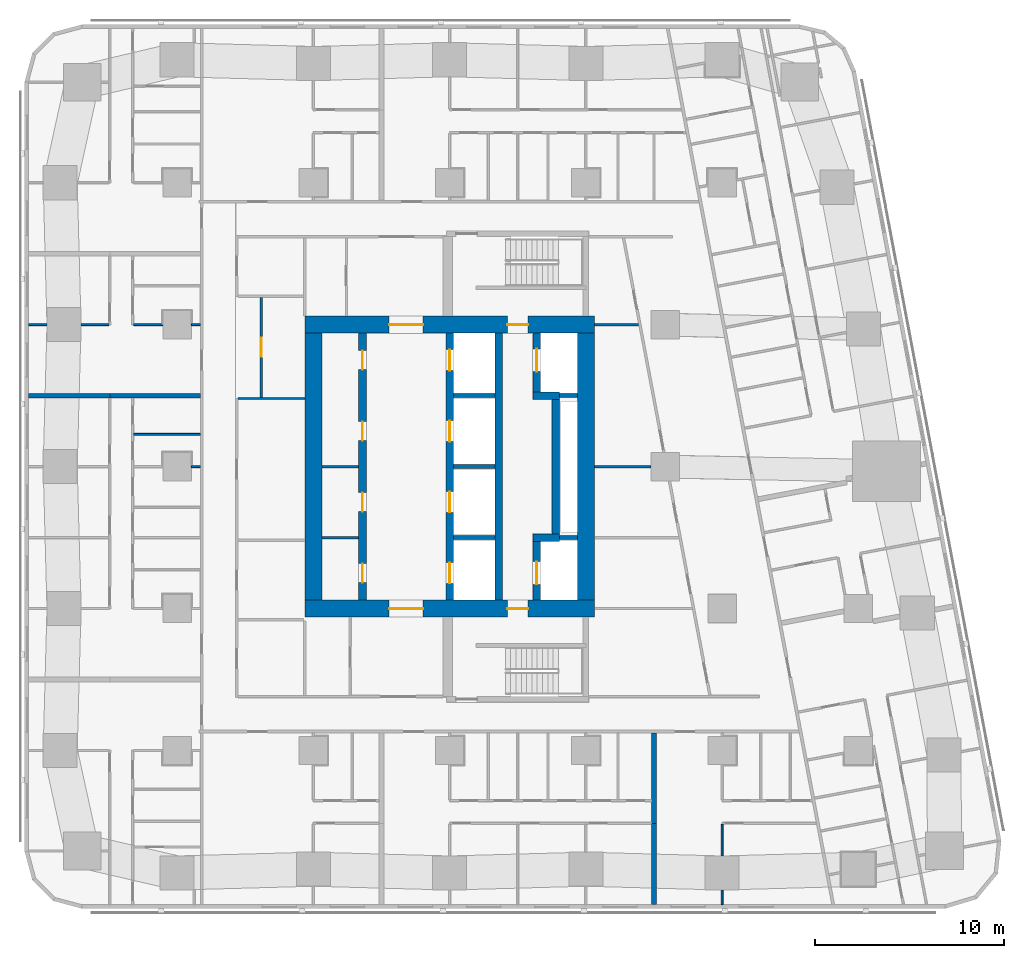
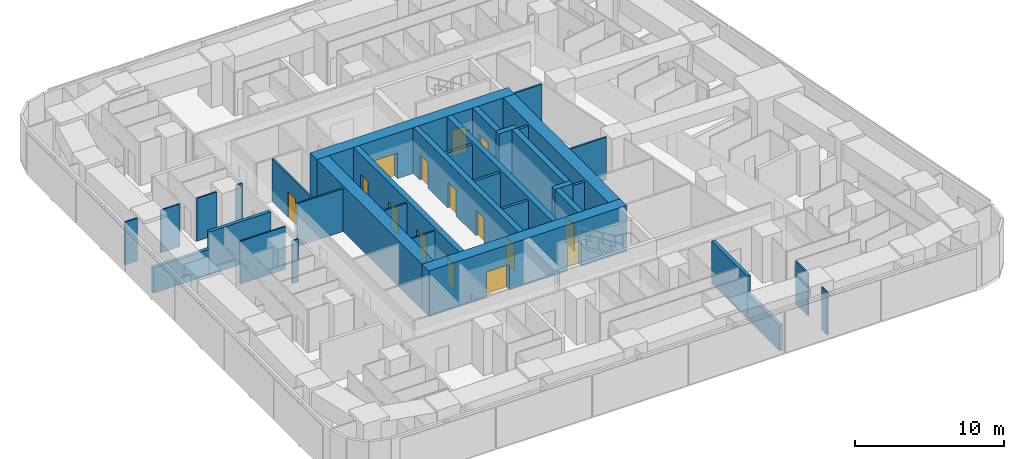
# One storey, part 6 of 15: 35 walls, 15 doors, 15 openings.
"""IFC4 building model written with IfcOpenShell, lengths in metres."""

from ifc_helpers import new_model, si_unit, direction, frame, frame_2d, origin, place, context, subcontext, project, spatial, rectangle, extrude, material, layer, layer_set, type_object, element, fill, save


model = new_model("IFC4")

# Units and contexts
model_context = context("Model", 3, precision=1e-05, world=origin(), true_north=direction((0.0, 1.0)))
body_context = subcontext(model_context, "Body", "Model", "MODEL_VIEW")
ifc_project = project(units=[si_unit("LENGTHUNIT", "METRE"), si_unit("AREAUNIT", "SQUARE_METRE"), si_unit("VOLUMEUNIT", "CUBIC_METRE"), si_unit("PLANEANGLEUNIT", "RADIAN"), si_unit("MASSUNIT", "GRAM", prefix="KILO")], contexts=[model_context])

# Site, building, storey
site_placement = place(None, origin())
site = spatial("IfcSite", under=ifc_project, at=site_placement, CompositionType="ELEMENT")
building_placement = place(site_placement, origin())
building = spatial("IfcBuilding", under=site, at=building_placement, Name="Sheger Commons Tower", CompositionType="ELEMENT")
storey_placement = place(building_placement, frame((0.0, 0.0, 143.300048828125)))
storey = spatial("IfcBuildingStorey", under=building, at=storey_placement, Name="L36", CompositionType="ELEMENT", Elevation=143.300048828125)

# Wall, openings, doors
ifc_material_1 = material(Name="Concrete C50/60", Category="concrete")
ifc_layer_1 = layer(ifc_material_1, 0.39990234375)
ifc_layer_set_1 = layer_set([ifc_layer_1], Name="CORE INNER WALL 400")
wall_type_1 = type_object("IfcWallType", Name="CORE INNER WALL 400", PredefinedType="SHEAR", material=ifc_layer_set_1)
wall_1_placement = place(storey_placement, frame((17.0, 15.449951171875, 0.0), z_axis=(0.0, 0.0, 1.0), x_axis=(0.0, 1.0, 0.0)))
wall_1 = element("IfcWall", 1, at=wall_1_placement, inside=storey, type_object=wall_type_1, Name="Core inner wall A L36", PredefinedType="SHEAR", context=body_context, shape_type="SweptSolid", body=[
    extrude(rectangle(XDim=14.10009765625, YDim=0.39990234375, at=frame_2d((7.050048828125, 0.0))), origin(), (0.0, 0.0, 1.0), 3.75),
])
opening_1_placement = place(wall_1_placement, frame((0.925048828125, 0.0, 0.0)))
opening_1 = element("IfcOpeningElement", 2, at=opening_1_placement, cuts=wall_1, Name="Opening D4", PredefinedType="OPENING", context=body_context, shape_type="SweptSolid", body=[
    extrude(rectangle(XDim=1.0, YDim=2.10009765625, at=frame_2d((0.5, 1.050048828125))), frame((0.0, 0.2099609375, 0.0), z_axis=(0.0, -1.0, 0.0), x_axis=(1.0, 0.0, 0.0)), (0.0, 0.0, 1.0), 0.419921875),
])
opening_2_placement = place(wall_1_placement, frame((4.675048828125, 0.0, 0.0)))
opening_2 = element("IfcOpeningElement", 3, at=opening_2_placement, cuts=wall_1, Name="Opening D4", PredefinedType="OPENING", context=body_context, shape_type="SweptSolid", body=[
    extrude(rectangle(XDim=1.0, YDim=2.10009765625, at=frame_2d((0.5, 1.050048828125))), frame((0.0, 0.2099609375, 0.0), z_axis=(0.0, -1.0, 0.0), x_axis=(1.0, 0.0, 0.0)), (0.0, 0.0, 1.0), 0.419921875),
])
opening_3_placement = place(wall_1_placement, frame((8.425048828125, 0.0, 0.0)))
opening_3 = element("IfcOpeningElement", 4, at=opening_3_placement, cuts=wall_1, Name="Opening D4", PredefinedType="OPENING", context=body_context, shape_type="SweptSolid", body=[
    extrude(rectangle(XDim=1.0, YDim=2.10009765625, at=frame_2d((0.5, 1.050048828125))), frame((0.0, 0.2099609375, 0.0), z_axis=(0.0, -1.0, 0.0), x_axis=(1.0, 0.0, 0.0)), (0.0, 0.0, 1.0), 0.419921875),
])
opening_4_placement = place(wall_1_placement, frame((12.175048828125, 0.0, 0.0)))
opening_4 = element("IfcOpeningElement", 5, at=opening_4_placement, cuts=wall_1, Name="Opening D4", PredefinedType="OPENING", context=body_context, shape_type="SweptSolid", body=[
    extrude(rectangle(XDim=1.0, YDim=2.10009765625, at=frame_2d((0.5, 1.050048828125))), frame((0.0, 0.2099609375, 0.0), z_axis=(0.0, -1.0, 0.0), x_axis=(1.0, 0.0, 0.0)), (0.0, 0.0, 1.0), 0.419921875),
])
ifc_material_2 = material(Name="Steel door set, fire rated", Category="steel")
door_type_1 = type_object("IfcDoorType", Name="SERVICE DOOR 1000x2100", OperationType="NOTDEFINED", PredefinedType="DOOR", material=ifc_material_2)
door_1_placement = place(opening_1_placement, origin())
door_1 = element("IfcDoor", 6, at=door_1_placement, inside=storey, type_object=door_type_1, Name="Staff WC door", OperationType="SINGLE_SWING_LEFT", OverallHeight=2.10009765625, OverallWidth=1.0, PredefinedType="DOOR", context=body_context, shape_type="SweptSolid", body=[
    extrude(rectangle(XDim=1.0, YDim=2.10009765625, at=frame_2d((0.5, 1.050048828125))), frame((0.0, 0.02490234375, 0.0), z_axis=(0.0, -1.0, 0.0), x_axis=(1.0, 0.0, 0.0)), (0.0, 0.0, 1.0), 0.050048828125),
])
fill(opening_1, door_1)
door_2_placement = place(opening_2_placement, origin())
door_2 = element("IfcDoor", 7, at=door_2_placement, inside=storey, type_object=door_type_1, Name="Cleaner's store door", OperationType="SINGLE_SWING_LEFT", OverallHeight=2.10009765625, OverallWidth=1.0, PredefinedType="DOOR", context=body_context, shape_type="SweptSolid", body=[
    extrude(rectangle(XDim=1.0, YDim=2.10009765625, at=frame_2d((0.5, 1.050048828125))), frame((0.0, 0.02490234375, 0.0), z_axis=(0.0, -1.0, 0.0), x_axis=(1.0, 0.0, 0.0)), (0.0, 0.0, 1.0), 0.050048828125),
])
fill(opening_2, door_2)
door_3_placement = place(opening_3_placement, origin())
door_3 = element("IfcDoor", 8, at=door_3_placement, inside=storey, type_object=door_type_1, Name="Linen and housekeeping store door", OperationType="SINGLE_SWING_LEFT", OverallHeight=2.10009765625, OverallWidth=1.0, PredefinedType="DOOR", context=body_context, shape_type="SweptSolid", body=[
    extrude(rectangle(XDim=1.0, YDim=2.10009765625, at=frame_2d((0.5, 1.050048828125))), frame((0.0, 0.02490234375, 0.0), z_axis=(0.0, -1.0, 0.0), x_axis=(1.0, 0.0, 0.0)), (0.0, 0.0, 1.0), 0.050048828125),
])
fill(opening_3, door_3)
door_4_placement = place(opening_4_placement, origin())
door_4 = element("IfcDoor", 9, at=door_4_placement, inside=storey, type_object=door_type_1, Name="Linen and housekeeping store door", OperationType="SINGLE_SWING_RIGHT", OverallHeight=2.10009765625, OverallWidth=1.0, PredefinedType="DOOR", context=body_context, shape_type="SweptSolid", body=[
    extrude(rectangle(XDim=1.0, YDim=2.10009765625, at=frame_2d((0.5, 1.050048828125))), frame((0.0, 0.02490234375, 0.0), z_axis=(0.0, -1.0, 0.0), x_axis=(1.0, 0.0, 0.0)), (0.0, 0.0, 1.0), 0.050048828125),
])
fill(opening_4, door_4)

wall_2_placement = place(storey_placement, frame((21.60009765625, 15.449951171875, 0.0), z_axis=(0.0, 0.0, 1.0), x_axis=(0.0, 1.0, 0.0)))
wall_2 = element("IfcWall", 10, at=wall_2_placement, inside=storey, type_object=wall_type_1, Name="Core inner wall L L36", PredefinedType="SHEAR", context=body_context, shape_type="SweptSolid", body=[
    extrude(rectangle(XDim=14.10009765625, YDim=0.39990234375, at=frame_2d((7.050048828125, 0.0))), origin(), (0.0, 0.0, 1.0), 3.75),
])
opening_5_placement = place(wall_2_placement, frame((0.875, 0.0, 0.0)))
opening_5 = element("IfcOpeningElement", 11, at=opening_5_placement, cuts=wall_2, Name="Opening LD", PredefinedType="OPENING", context=body_context, shape_type="SweptSolid", body=[
    extrude(rectangle(XDim=1.10009765625, YDim=2.10009765625, at=frame_2d((0.550048828125, 1.050048828125))), frame((0.0, 0.2099609375, 0.0), z_axis=(0.0, -1.0, 0.0), x_axis=(1.0, 0.0, 0.0)), (0.0, 0.0, 1.0), 0.419921875),
])
opening_6_placement = place(wall_2_placement, frame((4.625, 0.0, 0.0)))
opening_6 = element("IfcOpeningElement", 12, at=opening_6_placement, cuts=wall_2, Name="Opening LD", PredefinedType="OPENING", context=body_context, shape_type="SweptSolid", body=[
    extrude(rectangle(XDim=1.10009765625, YDim=2.10009765625, at=frame_2d((0.550048828125, 1.050048828125))), frame((0.0, 0.2099609375, 0.0), z_axis=(0.0, -1.0, 0.0), x_axis=(1.0, 0.0, 0.0)), (0.0, 0.0, 1.0), 0.419921875),
])
opening_7_placement = place(wall_2_placement, frame((8.375, 0.0, 0.0)))
opening_7 = element("IfcOpeningElement", 13, at=opening_7_placement, cuts=wall_2, Name="Opening LD", PredefinedType="OPENING", context=body_context, shape_type="SweptSolid", body=[
    extrude(rectangle(XDim=1.10009765625, YDim=2.10009765625, at=frame_2d((0.550048828125, 1.050048828125))), frame((0.0, 0.2099609375, 0.0), z_axis=(0.0, -1.0, 0.0), x_axis=(1.0, 0.0, 0.0)), (0.0, 0.0, 1.0), 0.419921875),
])
opening_8_placement = place(wall_2_placement, frame((12.125, 0.0, 0.0)))
opening_8 = element("IfcOpeningElement", 14, at=opening_8_placement, cuts=wall_2, Name="Opening LD", PredefinedType="OPENING", context=body_context, shape_type="SweptSolid", body=[
    extrude(rectangle(XDim=1.10009765625, YDim=2.10009765625, at=frame_2d((0.550048828125, 1.050048828125))), frame((0.0, 0.2099609375, 0.0), z_axis=(0.0, -1.0, 0.0), x_axis=(1.0, 0.0, 0.0)), (0.0, 0.0, 1.0), 0.419921875),
])
ifc_material_3 = material(Name="Steel door set, fire rated", Category="steel")
door_type_2 = type_object("IfcDoorType", Name="LIFT LANDING DOOR 1100x2100", OperationType="DOUBLE_DOOR_SLIDING", PredefinedType="DOOR", material=ifc_material_3)
door_5_placement = place(opening_5_placement, origin())
door_5 = element("IfcDoor", 15, at=door_5_placement, inside=storey, type_object=door_type_2, Name="Lift LB1 landing door", OperationType="DOUBLE_DOOR_SLIDING", OverallHeight=2.10009765625, OverallWidth=1.10009765625, PredefinedType="DOOR", context=body_context, shape_type="SweptSolid", body=[
    extrude(rectangle(XDim=1.10009765625, YDim=2.10009765625, at=frame_2d((0.550048828125, 1.050048828125))), frame((0.0, 0.02490234375, 0.0), z_axis=(0.0, -1.0, 0.0), x_axis=(1.0, 0.0, 0.0)), (0.0, 0.0, 1.0), 0.050048828125),
])
fill(opening_5, door_5)
door_6_placement = place(opening_6_placement, origin())
door_6 = element("IfcDoor", 16, at=door_6_placement, inside=storey, type_object=door_type_2, Name="Lift LB2 landing door", OperationType="DOUBLE_DOOR_SLIDING", OverallHeight=2.10009765625, OverallWidth=1.10009765625, PredefinedType="DOOR", context=body_context, shape_type="SweptSolid", body=[
    extrude(rectangle(XDim=1.10009765625, YDim=2.10009765625, at=frame_2d((0.550048828125, 1.050048828125))), frame((0.0, 0.02490234375, 0.0), z_axis=(0.0, -1.0, 0.0), x_axis=(1.0, 0.0, 0.0)), (0.0, 0.0, 1.0), 0.050048828125),
])
fill(opening_6, door_6)
door_7_placement = place(opening_7_placement, origin())
door_7 = element("IfcDoor", 17, at=door_7_placement, inside=storey, type_object=door_type_2, Name="Lift LB3 landing door", OperationType="DOUBLE_DOOR_SLIDING", OverallHeight=2.10009765625, OverallWidth=1.10009765625, PredefinedType="DOOR", context=body_context, shape_type="SweptSolid", body=[
    extrude(rectangle(XDim=1.10009765625, YDim=2.10009765625, at=frame_2d((0.550048828125, 1.050048828125))), frame((0.0, 0.02490234375, 0.0), z_axis=(0.0, -1.0, 0.0), x_axis=(1.0, 0.0, 0.0)), (0.0, 0.0, 1.0), 0.050048828125),
])
fill(opening_7, door_7)
door_8_placement = place(opening_8_placement, origin())
door_8 = element("IfcDoor", 18, at=door_8_placement, inside=storey, type_object=door_type_2, Name="Lift LB4 landing door", OperationType="DOUBLE_DOOR_SLIDING", OverallHeight=2.10009765625, OverallWidth=1.10009765625, PredefinedType="DOOR", context=body_context, shape_type="SweptSolid", body=[
    extrude(rectangle(XDim=1.10009765625, YDim=2.10009765625, at=frame_2d((0.550048828125, 1.050048828125))), frame((0.0, 0.02490234375, 0.0), z_axis=(0.0, -1.0, 0.0), x_axis=(1.0, 0.0, 0.0)), (0.0, 0.0, 1.0), 0.050048828125),
])
fill(opening_8, door_8)

# Wall
wall_3_placement = place(storey_placement, frame((24.199951171875, 15.449951171875, 0.0), z_axis=(0.0, 0.0, 1.0), x_axis=(0.0, 1.0, 0.0)))
element("IfcWall", 19, at=wall_3_placement, inside=storey, type_object=wall_type_1, Name="Core inner wall B L36", PredefinedType="SHEAR", context=body_context, shape_type="SweptSolid", body=[
    extrude(rectangle(XDim=14.10009765625, YDim=0.39990234375, at=frame_2d((7.050048828125, 0.0))), origin(), (0.0, 0.0, 1.0), 3.75),
])

# Wall, opening, door
wall_4_placement = place(storey_placement, frame((26.199951171875, 15.449951171875, 0.0), z_axis=(0.0, 0.0, 1.0), x_axis=(0.0, 1.0, 0.0)))
wall_4 = element("IfcWall", 20, at=wall_4_placement, inside=storey, type_object=wall_type_1, Name="Core inner wall F L36", PredefinedType="SHEAR", context=body_context, shape_type="SweptSolid", body=[
    extrude(rectangle(XDim=3.10009765625, YDim=0.39990234375, at=frame_2d((1.550048828125, 0.0))), origin(), (0.0, 0.0, 1.0), 3.75),
])
opening_9_placement = place(wall_4_placement, frame((0.824951171875, 0.0, 0.0)))
opening_9 = element("IfcOpeningElement", 21, at=opening_9_placement, cuts=wall_4, Name="Opening LD2", PredefinedType="OPENING", context=body_context, shape_type="SweptSolid", body=[
    extrude(rectangle(XDim=1.199951171875, YDim=2.10009765625, at=frame_2d((0.60009765625, 1.050048828125))), frame((0.0, 0.2099609375, 0.0), z_axis=(0.0, -1.0, 0.0), x_axis=(1.0, 0.0, 0.0)), (0.0, 0.0, 1.0), 0.419921875),
])
ifc_material_4 = material(Name="Steel door set, fire rated", Category="steel")
door_type_3 = type_object("IfcDoorType", Name="FIREFIGHTING LIFT LANDING DOOR 1200x2100", OperationType="DOUBLE_DOOR_SLIDING", PredefinedType="DOOR", material=ifc_material_4)
door_9_placement = place(opening_9_placement, origin())
door_9 = element("IfcDoor", 22, at=door_9_placement, inside=storey, type_object=door_type_3, Name="Lift FL1 landing door", OperationType="DOUBLE_DOOR_SLIDING", OverallHeight=2.10009765625, OverallWidth=1.199951171875, PredefinedType="DOOR", context=body_context, shape_type="SweptSolid", body=[
    extrude(rectangle(XDim=1.199951171875, YDim=2.10009765625, at=frame_2d((0.60009765625, 1.050048828125))), frame((0.0, 0.02490234375, 0.0), z_axis=(0.0, -1.0, 0.0), x_axis=(1.0, 0.0, 0.0)), (0.0, 0.0, 1.0), 0.050048828125),
])
fill(opening_9, door_9)

# Walls
wall_5_placement = place(storey_placement, frame((26.0, 18.75, 0.0), z_axis=(0.0, 0.0, 1.0), x_axis=(1.0, 0.0, 0.0)))
element("IfcWall", 23, at=wall_5_placement, inside=storey, type_object=wall_type_1, Name="Core inner wall F south return L36", PredefinedType="SHEAR", context=body_context, shape_type="SweptSolid", body=[
    extrude(rectangle(XDim=1.39990234375, YDim=0.39990234375, at=frame_2d((0.699951171875, 0.0))), origin(), (0.0, 0.0, 1.0), 3.75),
])
wall_6_placement = place(storey_placement, frame((27.199951171875, 18.949951171875, 0.0), z_axis=(0.0, 0.0, 1.0), x_axis=(0.0, 1.0, 0.0)))
element("IfcWall", 24, at=wall_6_placement, inside=storey, type_object=wall_type_1, Name="Core inner wall F middle L36", PredefinedType="SHEAR", context=body_context, shape_type="SweptSolid", body=[
    extrude(rectangle(XDim=7.10009765625, YDim=0.39990234375, at=frame_2d((3.550048828125, 0.0))), origin(), (0.0, 0.0, 1.0), 3.75),
])
wall_7_placement = place(storey_placement, frame((26.0, 26.25, 0.0), z_axis=(0.0, 0.0, 1.0), x_axis=(1.0, 0.0, 0.0)))
element("IfcWall", 25, at=wall_7_placement, inside=storey, type_object=wall_type_1, Name="Core inner wall F north return L36", PredefinedType="SHEAR", context=body_context, shape_type="SweptSolid", body=[
    extrude(rectangle(XDim=1.39990234375, YDim=0.39990234375, at=frame_2d((0.699951171875, 0.0))), origin(), (0.0, 0.0, 1.0), 3.75),
])

# Wall, opening, door
wall_8_placement = place(storey_placement, frame((26.199951171875, 26.449951171875, 0.0), z_axis=(0.0, 0.0, 1.0), x_axis=(0.0, 1.0, 0.0)))
wall_8 = element("IfcWall", 26, at=wall_8_placement, inside=storey, type_object=wall_type_1, Name="Core inner wall F north L36", PredefinedType="SHEAR", context=body_context, shape_type="SweptSolid", body=[
    extrude(rectangle(XDim=3.10009765625, YDim=0.39990234375, at=frame_2d((1.550048828125, 0.0))), origin(), (0.0, 0.0, 1.0), 3.75),
])
opening_10_placement = place(wall_8_placement, frame((1.074951171875, 0.0, 0.0)))
opening_10 = element("IfcOpeningElement", 27, at=opening_10_placement, cuts=wall_8, Name="Opening LD2", PredefinedType="OPENING", context=body_context, shape_type="SweptSolid", body=[
    extrude(rectangle(XDim=1.199951171875, YDim=2.10009765625, at=frame_2d((0.60009765625, 1.050048828125))), frame((0.0, 0.2099609375, 0.0), z_axis=(0.0, -1.0, 0.0), x_axis=(1.0, 0.0, 0.0)), (0.0, 0.0, 1.0), 0.419921875),
])
door_10_placement = place(opening_10_placement, origin())
door_10 = element("IfcDoor", 28, at=door_10_placement, inside=storey, type_object=door_type_3, Name="Lift FL2 landing door", OperationType="DOUBLE_DOOR_SLIDING", OverallHeight=2.10009765625, OverallWidth=1.199951171875, PredefinedType="DOOR", context=body_context, shape_type="SweptSolid", body=[
    extrude(rectangle(XDim=1.199951171875, YDim=2.10009765625, at=frame_2d((0.60009765625, 1.050048828125))), frame((0.0, 0.02490234375, 0.0), z_axis=(0.0, -1.0, 0.0), x_axis=(1.0, 0.0, 0.0)), (0.0, 0.0, 1.0), 0.050048828125),
])
fill(opening_10, door_10)

# Wall, openings, doors
ifc_material_5 = material(Name="Concrete C50/60", Category="concrete")
ifc_layer_2 = layer(ifc_material_5, 0.89990234375)
ifc_layer_set_2 = layer_set([ifc_layer_2], Name="CORE WALL 900")
wall_type_2 = type_object("IfcWallType", Name="CORE WALL 900", PredefinedType="SHEAR", material=ifc_layer_set_2)
wall_9_placement = place(storey_placement, frame((13.949951171875, 15.0, 0.0), z_axis=(0.0, 0.0, 1.0), x_axis=(1.0, 0.0, 0.0)))
wall_9 = element("IfcWall", 29, at=wall_9_placement, inside=storey, type_object=wall_type_2, Name="Core wall south L36", PredefinedType="SHEAR", context=body_context, shape_type="SweptSolid", body=[
    extrude(rectangle(XDim=15.300048828125, YDim=0.89990234375, at=frame_2d((7.64990234375, 0.0))), origin(), (0.0, 0.0, 1.0), 3.75),
])
opening_11_placement = place(wall_9_placement, frame((4.449951171875, 0.0, 0.0)))
opening_11 = element("IfcOpeningElement", 30, at=opening_11_placement, cuts=wall_9, Name="Opening D6", PredefinedType="OPENING", context=body_context, shape_type="SweptSolid", body=[
    extrude(rectangle(XDim=1.800048828125, YDim=2.10009765625, at=frame_2d((0.89990234375, 1.050048828125))), frame((0.0, 0.4599609375, 0.0), z_axis=(0.0, -1.0, 0.0), x_axis=(1.0, 0.0, 0.0)), (0.0, 0.0, 1.0), 0.919921875),
])
opening_12_placement = place(wall_9_placement, frame((10.699951171875, 0.0, 0.0)))
opening_12 = element("IfcOpeningElement", 31, at=opening_12_placement, cuts=wall_9, Name="Opening D5", PredefinedType="OPENING", context=body_context, shape_type="SweptSolid", body=[
    extrude(rectangle(XDim=1.10009765625, YDim=2.10009765625, at=frame_2d((0.550048828125, 1.050048828125))), frame((0.0, 0.4599609375, 0.0), z_axis=(0.0, -1.0, 0.0), x_axis=(1.0, 0.0, 0.0)), (0.0, 0.0, 1.0), 0.919921875),
])
ifc_material_6 = material(Name="Steel door set, fire rated", Category="steel")
door_type_4 = type_object("IfcDoorType", Name="LOBBY DOUBLE DOOR 1800x2100", OperationType="DOUBLE_DOOR_SINGLE_SWING", PredefinedType="DOOR", material=ifc_material_6)
door_11_placement = place(opening_11_placement, origin())
door_11 = element("IfcDoor", 32, at=door_11_placement, inside=storey, type_object=door_type_4, Name="Lift lobby door", OperationType="DOUBLE_DOOR_SINGLE_SWING", OverallHeight=2.10009765625, OverallWidth=1.800048828125, PredefinedType="DOOR", context=body_context, shape_type="SweptSolid", body=[
    extrude(rectangle(XDim=1.800048828125, YDim=2.10009765625, at=frame_2d((0.89990234375, 1.050048828125))), frame((0.0, 0.02490234375, 0.0), z_axis=(0.0, -1.0, 0.0), x_axis=(1.0, 0.0, 0.0)), (0.0, 0.0, 1.0), 0.050048828125),
])
fill(opening_11, door_11)
ifc_material_7 = material(Name="Steel door set, fire rated", Category="steel")
door_type_5 = type_object("IfcDoorType", Name="STAIR DOOR 1100x2100", OperationType="NOTDEFINED", PredefinedType="DOOR", material=ifc_material_7)
door_12_placement = place(opening_12_placement, origin())
door_12 = element("IfcDoor", 33, at=door_12_placement, inside=storey, type_object=door_type_5, Name="Fire-fighting lobby door", OperationType="SINGLE_SWING_RIGHT", OverallHeight=2.10009765625, OverallWidth=1.10009765625, PredefinedType="DOOR", context=body_context, shape_type="SweptSolid", body=[
    extrude(rectangle(XDim=1.10009765625, YDim=2.10009765625, at=frame_2d((0.550048828125, 1.050048828125))), frame((0.0, 0.02490234375, 0.0), z_axis=(0.0, -1.0, 0.0), x_axis=(1.0, 0.0, 0.0)), (0.0, 0.0, 1.0), 0.050048828125),
])
fill(opening_12, door_12)

wall_10_placement = place(storey_placement, frame((13.949951171875, 30.0, 0.0), z_axis=(0.0, 0.0, 1.0), x_axis=(1.0, 0.0, 0.0)))
wall_10 = element("IfcWall", 34, at=wall_10_placement, inside=storey, type_object=wall_type_2, Name="Core wall north L36", PredefinedType="SHEAR", context=body_context, shape_type="SweptSolid", body=[
    extrude(rectangle(XDim=15.300048828125, YDim=0.89990234375, at=frame_2d((7.64990234375, 0.0))), origin(), (0.0, 0.0, 1.0), 3.75),
])
opening_13_placement = place(wall_10_placement, frame((4.449951171875, 0.0, 0.0)))
opening_13 = element("IfcOpeningElement", 35, at=opening_13_placement, cuts=wall_10, Name="Opening D6", PredefinedType="OPENING", context=body_context, shape_type="SweptSolid", body=[
    extrude(rectangle(XDim=1.800048828125, YDim=2.10009765625, at=frame_2d((0.89990234375, 1.050048828125))), frame((0.0, 0.4599609375, 0.0), z_axis=(0.0, -1.0, 0.0), x_axis=(1.0, 0.0, 0.0)), (0.0, 0.0, 1.0), 0.919921875),
])
opening_14_placement = place(wall_10_placement, frame((10.699951171875, 0.0, 0.0)))
opening_14 = element("IfcOpeningElement", 36, at=opening_14_placement, cuts=wall_10, Name="Opening D5", PredefinedType="OPENING", context=body_context, shape_type="SweptSolid", body=[
    extrude(rectangle(XDim=1.10009765625, YDim=2.10009765625, at=frame_2d((0.550048828125, 1.050048828125))), frame((0.0, 0.4599609375, 0.0), z_axis=(0.0, -1.0, 0.0), x_axis=(1.0, 0.0, 0.0)), (0.0, 0.0, 1.0), 0.919921875),
])
door_13_placement = place(opening_13_placement, origin())
door_13 = element("IfcDoor", 37, at=door_13_placement, inside=storey, type_object=door_type_4, Name="Lift lobby door", OperationType="DOUBLE_DOOR_SINGLE_SWING", OverallHeight=2.10009765625, OverallWidth=1.800048828125, PredefinedType="DOOR", context=body_context, shape_type="SweptSolid", body=[
    extrude(rectangle(XDim=1.800048828125, YDim=2.10009765625, at=frame_2d((0.89990234375, 1.050048828125))), frame((0.0, 0.02490234375, 0.0), z_axis=(0.0, -1.0, 0.0), x_axis=(1.0, 0.0, 0.0)), (0.0, 0.0, 1.0), 0.050048828125),
])
fill(opening_13, door_13)
door_14_placement = place(opening_14_placement, origin())
door_14 = element("IfcDoor", 38, at=door_14_placement, inside=storey, type_object=door_type_5, Name="Fire-fighting lobby door", OperationType="SINGLE_SWING_RIGHT", OverallHeight=2.10009765625, OverallWidth=1.10009765625, PredefinedType="DOOR", context=body_context, shape_type="SweptSolid", body=[
    extrude(rectangle(XDim=1.10009765625, YDim=2.10009765625, at=frame_2d((0.550048828125, 1.050048828125))), frame((0.0, 0.02490234375, 0.0), z_axis=(0.0, -1.0, 0.0), x_axis=(1.0, 0.0, 0.0)), (0.0, 0.0, 1.0), 0.050048828125),
])
fill(opening_14, door_14)

# Walls
for number, where, z_axis, x_axis, name in (
    (39, (14.39990234375, 15.449951171875, 0.0), (0.0, 0.0, 1.0), (0.0, 1.0, 0.0), "Core wall west L36"),
    (40, (28.800048828125, 15.449951171875, 0.0), (0.0, 0.0, 1.0), (0.0, 1.0, 0.0), "Core wall east L36"),
):
    element("IfcWall", number, at=place(storey_placement, frame(where, z_axis=z_axis, x_axis=x_axis)), inside=storey, type_object=wall_type_2, Name=name, PredefinedType="SHEAR", context=body_context, shape_type="SweptSolid", body=[
        extrude(rectangle(XDim=14.10009765625, YDim=0.89990234375, at=frame_2d((7.050048828125, 0.0))), origin(), (0.0, 0.0, 1.0), 3.75),
    ])
ifc_material_8 = material(Name="Dense concrete block masonry, plastered both sides (separating wall between flats)", Category="masonry")
ifc_layer_3 = layer(ifc_material_8, 0.25)
ifc_layer_set_3 = layer_set([ifc_layer_3], Name="DEMISING WALL 250")
wall_type_3 = type_object("IfcWallType", Name="DEMISING WALL 250", PredefinedType="SOLIDWALL", material=ifc_layer_set_3)
wall_11_placement = place(storey_placement, frame((-0.64990234375, 26.25, 0.0), z_axis=(0.0, 0.0, 1.0), x_axis=(1.0, 0.0, 0.0)))
element("IfcWall", 41, at=wall_11_placement, inside=storey, type_object=wall_type_3, Name="Demising wall L36", PredefinedType="SOLIDWALL", context=body_context, shape_type="SweptSolid", body=[
    extrude(rectangle(XDim=4.2998046875, YDim=0.25, at=frame_2d((2.14990234375, 0.0))), origin(), (0.0, 0.0, 1.0), 2.099853515625),
])
wall_12_placement = place(storey_placement, frame((3.64990234375, 26.25, 0.0), z_axis=(0.0, 0.0, 1.0), x_axis=(1.0, 0.0, 0.0)))
element("IfcWall", 42, at=wall_12_placement, inside=storey, type_object=wall_type_3, Name="Demising wall L36", PredefinedType="SOLIDWALL", context=body_context, shape_type="SweptSolid", body=[
    extrude(rectangle(XDim=4.775146484375, YDim=0.25, at=frame_2d((2.3876953125, 0.0))), origin(), (0.0, 0.0, 1.0), 3.5),
])
wall_13_placement = place(storey_placement, frame((32.39990234375, -0.64990234375, 0.0), z_axis=(0.0, 0.0, 1.0), x_axis=(0.0, 1.0, 0.0)))
element("IfcWall", 43, at=wall_13_placement, inside=storey, type_object=wall_type_3, Name="Demising wall L36", PredefinedType="SOLIDWALL", context=body_context, shape_type="SweptSolid", body=[
    extrude(rectangle(XDim=4.2998046875, YDim=0.25, at=frame_2d((2.14990234375, 0.0))), origin(), (0.0, 0.0, 1.0), 2.099853515625),
])
wall_14_placement = place(storey_placement, frame((32.39990234375, 3.64990234375, 0.0), z_axis=(0.0, 0.0, 1.0), x_axis=(0.0, 1.0, 0.0)))
element("IfcWall", 44, at=wall_14_placement, inside=storey, type_object=wall_type_3, Name="Demising wall L36", PredefinedType="SOLIDWALL", context=body_context, shape_type="SweptSolid", body=[
    extrude(rectangle(XDim=4.775146484375, YDim=0.25, at=frame_2d((2.3876953125, 0.0))), origin(), (0.0, 0.0, 1.0), 3.5),
])
ifc_material_9 = material(Name="Gypsum board on steel studs", Category="steel")
ifc_layer_4 = layer(ifc_material_9, 0.10009765625)
ifc_layer_set_4 = layer_set([ifc_layer_4], Name="PARTITION 100")
wall_type_4 = type_object("IfcWallType", Name="PARTITION 100", PredefinedType="PARTITIONING", material=ifc_layer_set_4)
wall_15_placement = place(storey_placement, frame((7.950927734375, 22.5, 0.0), z_axis=(0.0, 0.0, 1.0), x_axis=(1.0, 0.0, 0.0)))
element("IfcWall", 45, at=wall_15_placement, inside=storey, type_object=wall_type_4, Name="Partition L36", PredefinedType="PARTITIONING", context=body_context, shape_type="SweptSolid", body=[
    extrude(rectangle(XDim=0.47412109375, YDim=0.10009765625, at=frame_2d((0.237060546875, 0.0))), origin(), (0.0, 0.0, 1.0), 3.5),
])
wall_16_placement = place(storey_placement, frame((4.89990234375, 24.199951171875, 0.0), z_axis=(0.0, 0.0, 1.0), x_axis=(1.0, 0.0, 0.0)))
element("IfcWall", 46, at=wall_16_placement, inside=storey, type_object=wall_type_4, Name="Partition L36", PredefinedType="PARTITIONING", context=body_context, shape_type="SweptSolid", body=[
    extrude(rectangle(XDim=3.525146484375, YDim=0.10009765625, at=frame_2d((1.7626953125, 0.0))), origin(), (0.0, 0.0, 1.0), 3.5),
])
wall_17_placement = place(storey_placement, frame((-0.64990234375, 30.0, 0.0), z_axis=(0.0, 0.0, 1.0), x_axis=(1.0, 0.0, 0.0)))
element("IfcWall", 47, at=wall_17_placement, inside=storey, type_object=wall_type_4, Name="Partition L36", PredefinedType="PARTITIONING", context=body_context, shape_type="SweptSolid", body=[
    extrude(rectangle(XDim=0.973876953125, YDim=0.10009765625, at=frame_2d((0.48681640625, 0.0))), origin(), (0.0, 0.0, 1.0), 3.5),
])
wall_18_placement = place(storey_placement, frame((2.1259765625, 30.0, 0.0), z_axis=(0.0, 0.0, 1.0), x_axis=(1.0, 0.0, 0.0)))
element("IfcWall", 48, at=wall_18_placement, inside=storey, type_object=wall_type_4, Name="Partition L36", PredefinedType="PARTITIONING", context=body_context, shape_type="SweptSolid", body=[
    extrude(rectangle(XDim=1.47412109375, YDim=0.10009765625, at=frame_2d((0.737060546875, 0.0))), origin(), (0.0, 0.0, 1.0), 3.5),
])
wall_19_placement = place(storey_placement, frame((4.89990234375, 30.0, 0.0), z_axis=(0.0, 0.0, 1.0), x_axis=(1.0, 0.0, 0.0)))
element("IfcWall", 49, at=wall_19_placement, inside=storey, type_object=wall_type_4, Name="Partition L36", PredefinedType="PARTITIONING", context=body_context, shape_type="SweptSolid", body=[
    extrude(rectangle(XDim=1.549072265625, YDim=0.10009765625, at=frame_2d((0.7744140625, 0.0))), origin(), (0.0, 0.0, 1.0), 3.5),
])
wall_20_placement = place(storey_placement, frame((7.950927734375, 30.0, 0.0), z_axis=(0.0, 0.0, 1.0), x_axis=(1.0, 0.0, 0.0)))
element("IfcWall", 50, at=wall_20_placement, inside=storey, type_object=wall_type_4, Name="Partition L36", PredefinedType="PARTITIONING", context=body_context, shape_type="SweptSolid", body=[
    extrude(rectangle(XDim=0.47412109375, YDim=0.10009765625, at=frame_2d((0.237060546875, 0.0))), origin(), (0.0, 0.0, 1.0), 3.5),
])
wall_21_placement = place(storey_placement, frame((36.0, -0.64990234375, 0.0), z_axis=(0.0, 0.0, 1.0), x_axis=(0.0, 1.0, 0.0)))
element("IfcWall", 51, at=wall_21_placement, inside=storey, type_object=wall_type_4, Name="Partition L36", PredefinedType="PARTITIONING", context=body_context, shape_type="SweptSolid", body=[
    extrude(rectangle(XDim=0.77392578125, YDim=0.10009765625, at=frame_2d((0.386962890625, 0.0))), origin(), (0.0, 0.0, 1.0), 3.5),
])
wall_22_placement = place(storey_placement, frame((36.0, 1.926025390625, 0.0), z_axis=(0.0, 0.0, 1.0), x_axis=(0.0, 1.0, 0.0)))
element("IfcWall", 52, at=wall_22_placement, inside=storey, type_object=wall_type_4, Name="Partition L36", PredefinedType="PARTITIONING", context=body_context, shape_type="SweptSolid", body=[
    extrude(rectangle(XDim=1.674072265625, YDim=0.10009765625, at=frame_2d((0.8369140625, 0.0))), origin(), (0.0, 0.0, 1.0), 3.5),
])

# Wall, opening, door
ifc_material_10 = material(Name="Gypsum board on steel studs, two layers each side, fire rated", Category="steel")
ifc_layer_5 = layer(ifc_material_10, 0.125)
ifc_layer_set_5 = layer_set([ifc_layer_5], Name="SERVICE WALL 125")
wall_type_5 = type_object("IfcWallType", Name="SERVICE WALL 125", PredefinedType="PARTITIONING", material=ifc_layer_set_5)
wall_23_placement = place(storey_placement, frame((11.64990234375, 26.1630859375, 0.0), z_axis=(0.0, 0.0, 1.0), x_axis=(0.0, 1.0, 0.0)))
wall_23 = element("IfcWall", 53, at=wall_23_placement, inside=storey, type_object=wall_type_5, Name="Service room wall L36", PredefinedType="PARTITIONING", context=body_context, shape_type="SweptSolid", body=[
    extrude(rectangle(XDim=5.27490234375, YDim=0.125, at=frame_2d((2.637451171875, 0.0))), origin(), (0.0, 0.0, 1.0), 3.5),
])
opening_15_placement = place(wall_23_placement, frame((2.136962890625, 0.0, 0.0)))
opening_15 = element("IfcOpeningElement", 54, at=opening_15_placement, cuts=wall_23, Name="Opening D4", PredefinedType="OPENING", context=body_context, shape_type="SweptSolid", body=[
    extrude(rectangle(XDim=1.0, YDim=2.10009765625, at=frame_2d((0.5, 1.050048828125))), frame((0.0, 0.072509765625, 0.0), z_axis=(0.0, -1.0, 0.0), x_axis=(1.0, 0.0, 0.0)), (0.0, 0.0, 1.0), 0.14501953125),
])
door_15_placement = place(opening_15_placement, origin())
door_15 = element("IfcDoor", 55, at=door_15_placement, inside=storey, type_object=door_type_1, Name="Laundry and drying room door", OperationType="SINGLE_SWING_LEFT", OverallHeight=2.10009765625, OverallWidth=1.0, PredefinedType="DOOR", context=body_context, shape_type="SweptSolid", body=[
    extrude(rectangle(XDim=1.0, YDim=2.10009765625, at=frame_2d((0.5, 1.050048828125))), frame((0.0, 0.02490234375, 0.0), z_axis=(0.0, -1.0, 0.0), x_axis=(1.0, 0.0, 0.0)), (0.0, 0.0, 1.0), 0.050048828125),
])
fill(opening_15, door_15)

# Walls
wall_24_placement = place(storey_placement, frame((10.4130859375, 26.10009765625, 0.0), z_axis=(0.0, 0.0, 1.0), x_axis=(1.0, 0.0, 0.0)))
element("IfcWall", 56, at=wall_24_placement, inside=storey, type_object=wall_type_5, Name="Service room wall L36", PredefinedType="PARTITIONING", context=body_context, shape_type="SweptSolid", body=[
    extrude(rectangle(XDim=3.536865234375, YDim=0.125, at=frame_2d((1.7685546875, 0.0))), origin(), (0.0, 0.0, 1.0), 3.5),
])
wall_25_placement = place(storey_placement, frame((29.25, 22.5, 0.0), z_axis=(0.0, 0.0, 1.0), x_axis=(1.0, 0.0, 0.0)))
element("IfcWall", 57, at=wall_25_placement, inside=storey, type_object=wall_type_5, Name="Service room wall L36", PredefinedType="PARTITIONING", context=body_context, shape_type="SweptSolid", body=[
    extrude(rectangle(XDim=2.9990234375, YDim=0.125, at=frame_2d((1.49951171875, 0.0))), origin(), (0.0, 0.0, 1.0), 3.5),
])
wall_26_placement = place(storey_placement, frame((29.25, 30.0, 0.0), z_axis=(0.0, 0.0, 1.0), x_axis=(1.0, 0.0, 0.0)))
element("IfcWall", 58, at=wall_26_placement, inside=storey, type_object=wall_type_5, Name="Service room wall L36", PredefinedType="PARTITIONING", context=body_context, shape_type="SweptSolid", body=[
    extrude(rectangle(XDim=2.342041015625, YDim=0.125, at=frame_2d((1.1708984375, 0.0))), origin(), (0.0, 0.0, 1.0), 3.5),
])
for number, where, z_axis, x_axis, name in (
    (59, (14.85009765625, 18.75, 0.0), (0.0, 0.0, 1.0), (1.0, 0.0, 0.0), "Service room wall L36"),
    (60, (14.85009765625, 22.5, 0.0), (0.0, 0.0, 1.0), (1.0, 0.0, 0.0), "Service room wall L36"),
):
    element("IfcWall", number, at=place(storey_placement, frame(where, z_axis=z_axis, x_axis=x_axis)), inside=storey, type_object=wall_type_5, Name=name, PredefinedType="PARTITIONING", context=body_context, shape_type="SweptSolid", body=[
        extrude(rectangle(XDim=1.949951171875, YDim=0.125, at=frame_2d((0.97509765625, 0.0))), origin(), (0.0, 0.0, 1.0), 3.5),
    ])
ifc_material_11 = material(Name="Hollow concrete block masonry", Category="masonry")
ifc_layer_6 = layer(ifc_material_11, 0.199951171875)
ifc_layer_set_6 = layer_set([ifc_layer_6], Name="SHAFT WALL 200")
wall_type_6 = type_object("IfcWallType", Name="SHAFT WALL 200", PredefinedType="SOLIDWALL", material=ifc_layer_set_6)
for number, where, z_axis, x_axis, name in (
    (61, (21.800048828125, 18.75, 0.0), (0.0, 0.0, 1.0), (1.0, 0.0, 0.0), "Lift shaft wall L36"),
    (62, (21.800048828125, 22.5, 0.0), (0.0, 0.0, 1.0), (1.0, 0.0, 0.0), "Lift shaft wall L36"),
    (63, (21.800048828125, 26.25, 0.0), (0.0, 0.0, 1.0), (1.0, 0.0, 0.0), "Lift shaft wall L36"),
):
    element("IfcWall", number, at=place(storey_placement, frame(where, z_axis=z_axis, x_axis=x_axis)), inside=storey, type_object=wall_type_6, Name=name, PredefinedType="SOLIDWALL", context=body_context, shape_type="SweptSolid", body=[
        extrude(rectangle(XDim=2.199951171875, YDim=0.199951171875, at=frame_2d((1.10009765625, 0.0))), origin(), (0.0, 0.0, 1.0), 3.5),
    ])
for number, where, z_axis, x_axis, name in (
    (64, (27.39990234375, 18.75, 0.0), (0.0, 0.0, 1.0), (1.0, 0.0, 0.0), "Lift shaft wall L36"),
    (65, (27.39990234375, 26.25, 0.0), (0.0, 0.0, 1.0), (1.0, 0.0, 0.0), "Lift shaft wall L36"),
):
    element("IfcWall", number, at=place(storey_placement, frame(where, z_axis=z_axis, x_axis=x_axis)), inside=storey, type_object=wall_type_6, Name=name, PredefinedType="SOLIDWALL", context=body_context, shape_type="SweptSolid", body=[
        extrude(rectangle(XDim=0.9501953125, YDim=0.199951171875, at=frame_2d((0.47509765625, 0.0))), origin(), (0.0, 0.0, 1.0), 3.5),
    ])

save(model, "model.ifc")
